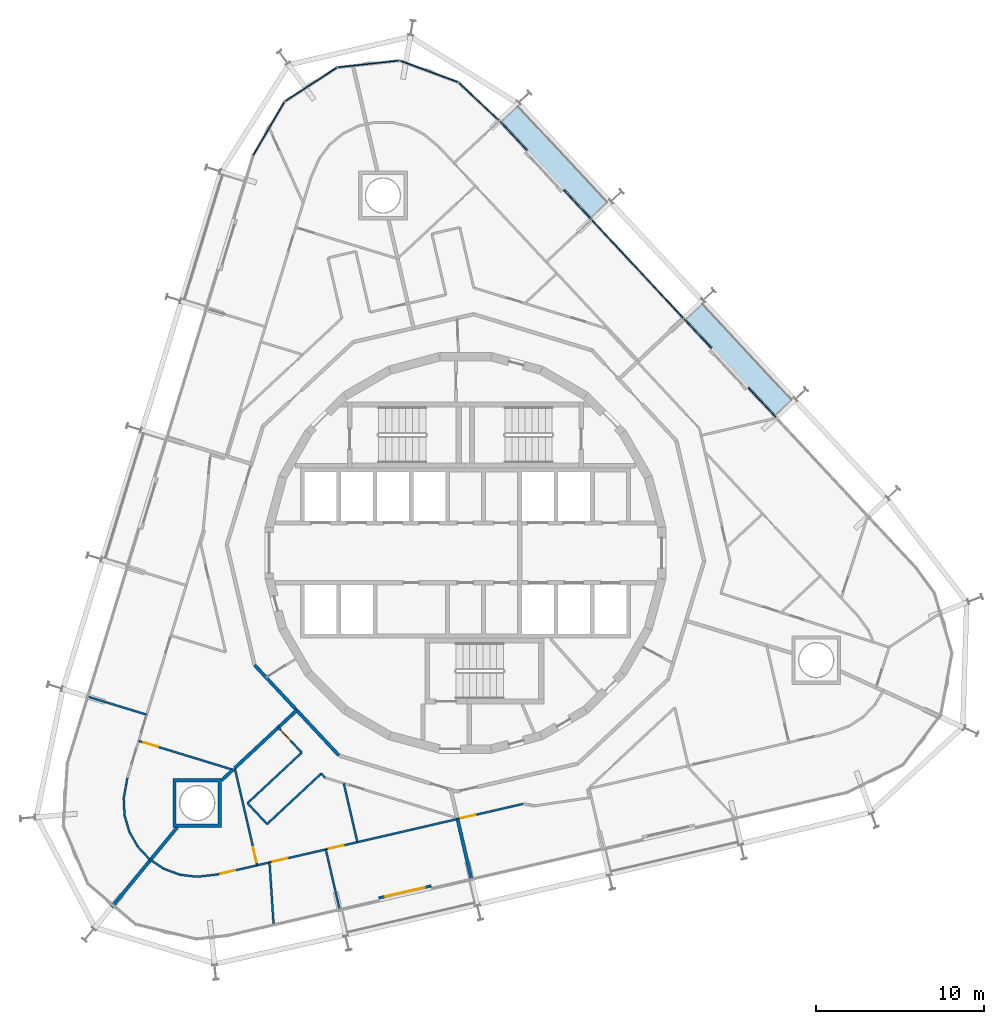
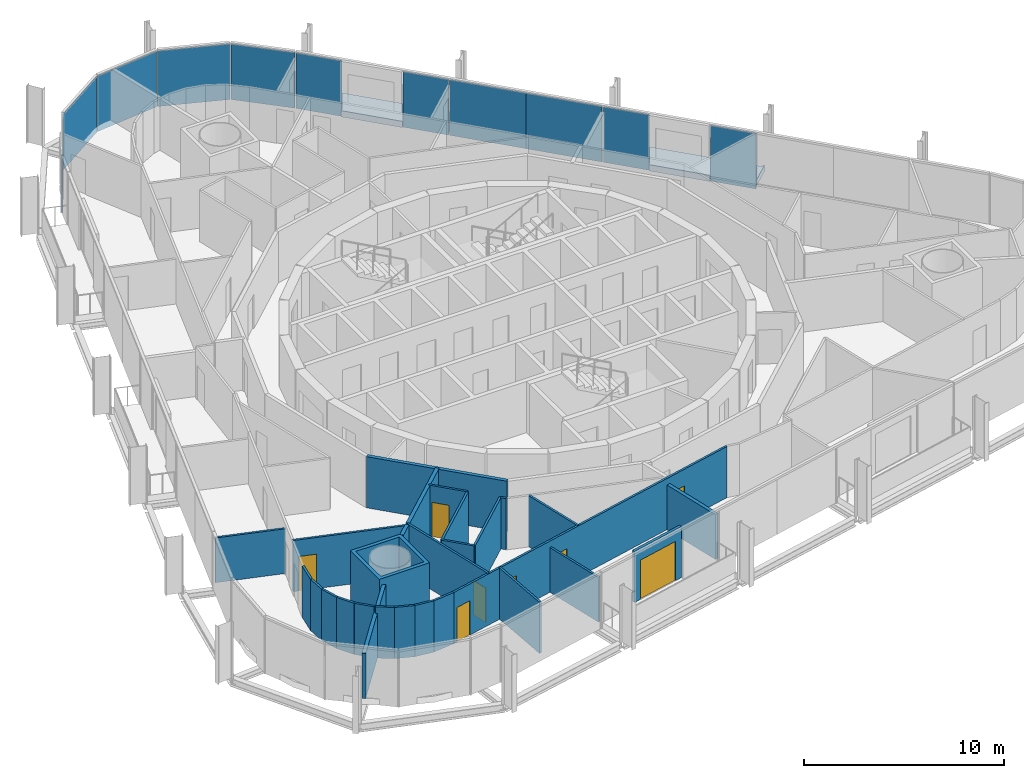
# One storey, part 11 of 18: 28 walls, 11 plates, 8 doors, 2 slabs, 8 openings, 2 elements without a shape of their own.
"""IFC4 building model written with IfcOpenShell, lengths in metres."""

from ifc_helpers import new_model, si_unit, direction, frame, frame_2d, origin, origin_2d, place, context, subcontext, project, spatial, polyline, rectangle, outline, extrude, material, layer, layer_set, type_object, element, fill, aggregate, save


model = new_model("IFC4")

# Units and contexts
model_context = context("Model", 3, precision=1e-05, world=origin(), true_north=direction((0.0, 1.0)))
body_context = subcontext(model_context, "Body", "Model", "MODEL_VIEW")
ifc_project = project(units=[si_unit("LENGTHUNIT", "METRE"), si_unit("AREAUNIT", "SQUARE_METRE"), si_unit("VOLUMEUNIT", "CUBIC_METRE"), si_unit("PLANEANGLEUNIT", "RADIAN"), si_unit("MASSUNIT", "GRAM", prefix="KILO")], contexts=[model_context])

# Site, building, storey
site_placement = place(None, origin())
site = spatial("IfcSite", under=ifc_project, at=site_placement, CompositionType="ELEMENT")
building_placement = place(site_placement, origin())
building = spatial("IfcBuilding", under=site, at=building_placement, Name="Spindle Arch Residences", CompositionType="ELEMENT")
storey_placement = place(building_placement, frame((0.0, 0.0, 120.39990234375)))
storey = spatial("IfcBuildingStorey", under=building, at=storey_placement, Name="L29", CompositionType="ELEMENT", Elevation=120.39990234375)

# Slabs
ifc_material_1 = material(Name="Concrete C40/50", Category="concrete")
ifc_layer_1 = layer(ifc_material_1, 0.3798828125)
ifc_layer_set_1 = layer_set([ifc_layer_1], Name="Balcony slab 380")
slab_type = type_object("IfcSlabType", Name="Balcony slab 380", PredefinedType="FLOOR", material=ifc_layer_set_1)
slab_1_placement = place(storey_placement, frame((0.0, 0.0, -0.3798828125)))
element("IfcSlab", 1, at=slab_1_placement, inside=storey, type_object=slab_type, Name="Balcony L29 bay 7", PredefinedType="FLOOR", context=body_context, shape_type="SweptSolid", body=[
    extrude(outline(polyline([(19.53466796875, 9.170166015625), (19.483642578125, 9.22509765625), (19.373779296875, 9.122802734375), (14.1025390625, 14.775634765625), (14.21240234375, 14.8779296875), (14.1611328125, 14.9326171875), (13.071533203125, 13.91650390625), (14.6669921875, 12.20556640625), (14.550048828125, 12.096435546875), (16.732421875, 9.756103515625), (16.849365234375, 9.865234375), (18.445068359375, 8.154052734375), (19.53466796875, 9.170166015625)])), origin(), (0.0, 0.0, 1.0), 0.3798828125),
])
slab_2_placement = place(storey_placement, frame((0.0, 0.0, -0.3798828125)))
element("IfcSlab", 2, at=slab_2_placement, inside=storey, type_object=slab_type, Name="Balcony L29 bay 9", PredefinedType="FLOOR", context=body_context, shape_type="SweptSolid", body=[
    extrude(outline(polyline([(8.5830078125, 20.91455078125), (8.53173828125, 20.969482421875), (8.422119140625, 20.8671875), (3.15087890625, 26.519775390625), (3.260498046875, 26.6220703125), (3.20947265625, 26.677001953125), (2.11962890625, 25.660888671875), (3.71533203125, 23.94970703125), (3.59814453125, 23.840576171875), (5.78076171875, 21.500244140625), (5.897705078125, 21.609375), (7.4931640625, 19.8984375), (8.5830078125, 20.91455078125)])), origin(), (0.0, 0.0, 1.0), 0.3798828125),
])

# Curtain wall, plates
ifc_material_2 = material(Name="Aluminium bronze unitised frame with tinted glass", Category="aluminium")
ifc_layer_2 = layer(ifc_material_2, 0.159912109375)
ifc_layer_set_2 = layer_set([ifc_layer_2], Name="CW-C typical residential unitised wall")
curtain_wall_type_1 = type_object("IfcCurtainWallType", Name="CW-C typical residential unitised wall", PredefinedType="NOTDEFINED", material=ifc_layer_set_2)
curtain_wall_1_placement = place(storey_placement, origin())
curtain_wall_1 = element("IfcCurtainWall", 3, at=curtain_wall_1_placement, inside=storey, type_object=curtain_wall_type_1, Name="CW-C L29 run 2", PredefinedType="NOTDEFINED")
ifc_material_3 = material(Name="Tinted double glazing over aluminium faced non-combustible spandrel zone (K0)", Category="aluminium")
ifc_layer_3 = layer(ifc_material_3, 0.06005859375)
ifc_layer_set_3 = layer_set([ifc_layer_3], Name="Unitised glass panel with E 60 spandrel zone")
plate_type = type_object("IfcPlateType", Name="Unitised glass panel with E 60 spandrel zone", PredefinedType="CURTAIN_PANEL", material=ifc_layer_set_3)
plate_1_placement = place(storey_placement, frame((17.60400390625, 8.9384765625, -0.3798828125), z_axis=(0.0, 0.0, 1.0), x_axis=(-0.681998360062, 0.731353701619, 0.0)))
plate_1 = element("IfcPlate", 4, at=plate_1_placement, type_object=plate_type, Name="CW-C unit 06L", PredefinedType="CURTAIN_PANEL", context=body_context, shape_type="SweptSolid", body=[
    extrude(rectangle(XDim=2.384521484375, YDim=0.06005859375, at=origin_2d()), origin(), (0.0, 0.0, 1.0), 3.3798828125),
])
plate_2_placement = place(storey_placement, frame((13.79541015625, 13.02294921875, -0.3798828125), z_axis=(0.0, 0.0, 1.0), x_axis=(-0.681998360062, 0.731353701619, 0.0)))
plate_2 = element("IfcPlate", 5, at=plate_2_placement, type_object=plate_type, Name="CW-C unit 06R", PredefinedType="CURTAIN_PANEL", context=body_context, shape_type="SweptSolid", body=[
    extrude(rectangle(XDim=2.384521484375, YDim=0.06005859375, at=origin_2d()), origin(), (0.0, 0.0, 1.0), 3.3798828125),
])
plate_3_placement = place(storey_placement, frame((11.58251953125, 15.395751953125, -0.3798828125), z_axis=(0.0, 0.0, 1.0), x_axis=(-0.681998360062, 0.731353701619, 0.0)))
plate_3 = element("IfcPlate", 6, at=plate_3_placement, type_object=plate_type, Name="CW-C unit 07A", PredefinedType="CURTAIN_PANEL", context=body_context, shape_type="SweptSolid", body=[
    extrude(rectangle(XDim=3.984619140625, YDim=0.06005859375, at=origin_2d()), origin(), (0.0, 0.0, 1.0), 3.3798828125),
])
plate_4_placement = place(storey_placement, frame((8.864990234375, 18.31005859375, -0.3798828125), z_axis=(0.0, 0.0, 1.0), x_axis=(-0.681998360062, 0.731353701619, 0.0)))
plate_4 = element("IfcPlate", 7, at=plate_4_placement, type_object=plate_type, Name="CW-C unit 07B", PredefinedType="CURTAIN_PANEL", context=body_context, shape_type="SweptSolid", body=[
    extrude(rectangle(XDim=3.984619140625, YDim=0.06005859375, at=origin_2d()), origin(), (0.0, 0.0, 1.0), 3.3798828125),
])
plate_5_placement = place(storey_placement, frame((6.65234375, 20.682861328125, -0.3798828125), z_axis=(0.0, 0.0, 1.0), x_axis=(-0.681998360062, 0.731353701619, 0.0)))
plate_5 = element("IfcPlate", 8, at=plate_5_placement, type_object=plate_type, Name="CW-C unit 08L", PredefinedType="CURTAIN_PANEL", context=body_context, shape_type="SweptSolid", body=[
    extrude(rectangle(XDim=2.384521484375, YDim=0.06005859375, at=origin_2d()), origin(), (0.0, 0.0, 1.0), 3.3798828125),
])
plate_6_placement = place(storey_placement, frame((2.84375, 24.767333984375, -0.3798828125), z_axis=(0.0, 0.0, 1.0), x_axis=(-0.681998360062, 0.731353701619, 0.0)))
plate_6 = element("IfcPlate", 9, at=plate_6_placement, type_object=plate_type, Name="CW-C unit 08R", PredefinedType="CURTAIN_PANEL", context=body_context, shape_type="SweptSolid", body=[
    extrude(rectangle(XDim=2.384521484375, YDim=0.06005859375, at=origin_2d()), origin(), (0.0, 0.0, 1.0), 3.3798828125),
])
aggregate(curtain_wall_1, [plate_1, plate_2, plate_3, plate_4, plate_5, plate_6])

ifc_material_4 = material(Name="Aluminium bronze unitised frame with tinted glass", Category="aluminium")
ifc_layer_4 = layer(ifc_material_4, 0.159912109375)
ifc_layer_set_4 = layer_set([ifc_layer_4], Name="CW-D corner wall on the fillet arcs")
curtain_wall_type_2 = type_object("IfcCurtainWallType", Name="CW-D corner wall on the fillet arcs", PredefinedType="NOTDEFINED", material=ifc_layer_set_4)
curtain_wall_2_placement = place(storey_placement, origin())
curtain_wall_2 = element("IfcCurtainWall", 10, at=curtain_wall_2_placement, inside=storey, type_object=curtain_wall_type_2, Name="CW-D L29 run 3", PredefinedType="NOTDEFINED")
plate_7_placement = place(storey_placement, frame((0.794677734375, 26.8046875, -0.3798828125), z_axis=(0.0, 0.0, 1.0), x_axis=(-0.728270412102, 0.685289870681, 0.0)))
plate_7 = element("IfcPlate", 11, at=plate_7_placement, type_object=plate_type, Name="CW-D unit 00", PredefinedType="CURTAIN_PANEL", context=body_context, shape_type="SweptSolid", body=[
    extrude(rectangle(XDim=3.277587890625, YDim=0.06005859375, at=origin_2d()), origin(), (0.0, 0.0, 1.0), 3.3798828125),
])
plate_8_placement = place(storey_placement, frame((-2.16796875, 28.595703125, -0.3798828125), z_axis=(0.0, 0.0, 1.0), x_axis=(-0.937686936403, 0.347481235896, 0.0)))
plate_8 = element("IfcPlate", 12, at=plate_8_placement, type_object=plate_type, Name="CW-D unit 01", PredefinedType="CURTAIN_PANEL", context=body_context, shape_type="SweptSolid", body=[
    extrude(rectangle(XDim=3.666748046875, YDim=0.06005859375, at=origin_2d()), origin(), (0.0, 0.0, 1.0), 3.3798828125),
])
plate_9_placement = place(storey_placement, frame((-5.76708984375, 29.037841796875, -0.3798828125), z_axis=(0.0, 0.0, 1.0), x_axis=(-0.993896946294, -0.110312556619, 0.0)))
plate_9 = element("IfcPlate", 13, at=plate_9_placement, type_object=plate_type, Name="CW-D unit 02", PredefinedType="CURTAIN_PANEL", context=body_context, shape_type="SweptSolid", body=[
    extrude(rectangle(XDim=3.666748046875, YDim=0.06005859375, at=origin_2d()), origin(), (0.0, 0.0, 1.0), 3.3798828125),
])
plate_10_placement = place(storey_placement, frame((-9.181884765625, 27.8173828125, -0.3798828125), z_axis=(0.0, 0.0, 1.0), x_axis=(-0.838670567755, -0.544639035308, 0.0)))
plate_10 = element("IfcPlate", 14, at=plate_10_placement, type_object=plate_type, Name="CW-D unit 03", PredefinedType="CURTAIN_PANEL", context=body_context, shape_type="SweptSolid", body=[
    extrude(rectangle(XDim=3.666748046875, YDim=0.06005859375, at=origin_2d()), origin(), (0.0, 0.0, 1.0), 3.3798828125),
])
plate_11_placement = place(storey_placement, frame((-11.685791015625, 25.194091796875, -0.3798828125), z_axis=(0.0, 0.0, 1.0), x_axis=(-0.505029844161, -0.863101880723, 0.0)))
plate_11 = element("IfcPlate", 15, at=plate_11_placement, type_object=plate_type, Name="CW-D unit 04", PredefinedType="CURTAIN_PANEL", context=body_context, shape_type="SweptSolid", body=[
    extrude(rectangle(XDim=3.666748046875, YDim=0.06005859375, at=origin_2d()), origin(), (0.0, 0.0, 1.0), 3.3798828125),
])
aggregate(curtain_wall_2, [plate_7, plate_8, plate_9, plate_10, plate_11])

# Wall
ifc_material_5 = material(Name="Calcium silicate block, plastered")
ifc_layer_5 = layer(ifc_material_5, 0.199951171875)
ifc_layer_set_5 = layer_set([ifc_layer_5], Name="Corridor wall 200")
wall_type_1 = type_object("IfcWallType", Name="Corridor wall 200", PredefinedType="STANDARD", material=ifc_layer_set_5)
wall_1_placement = place(storey_placement, frame((-12.523193359375, -6.65869140625, 0.0), z_axis=(0.0, 0.0, 1.0), x_axis=(0.682001841105, -0.731350455479, 0.0)))
element("IfcWall", 16, at=wall_1_placement, inside=storey, type_object=wall_type_1, Name="Corridor wall R3A0-W012", PredefinedType="STANDARD", context=body_context, shape_type="SweptSolid", body=[
    extrude(rectangle(XDim=7.341796875, YDim=0.199951171875, at=frame_2d((3.6708984375, 0.0))), origin(), (0.0, 0.0, 1.0), 3.1201171875),
])

# Wall, opening, door
ifc_material_6 = material(Name="Plasterboard on steel studs", Category="steel")
ifc_layer_6 = layer(ifc_material_6, 0.1201171875)
ifc_layer_set_6 = layer_set([ifc_layer_6], Name="Flat partition 120")
wall_type_2 = type_object("IfcWallType", Name="Flat partition 120", PredefinedType="PARTITIONING", material=ifc_layer_set_6)
wall_2_placement = place(storey_placement, frame((-19.403564453125, -11.1669921875, 0.0), z_axis=(0.0, 0.0, 1.0), x_axis=(0.956314306829, -0.292340463423, 0.0)))
wall_2 = element("IfcWall", 17, at=wall_2_placement, inside=storey, type_object=wall_type_2, Name="Flat partition R3A0-W079", PredefinedType="PARTITIONING", context=body_context, shape_type="SweptSolid", body=[
    extrude(rectangle(XDim=5.85009765625, YDim=0.1201171875, at=frame_2d((2.925048828125, 0.0))), origin(), (0.0, 0.0, 1.0), 3.1201171875),
])
opening_1_placement = place(wall_2_placement, frame((0.300048828125, 0.0, 0.0)))
opening_1 = element("IfcOpeningElement", 18, at=opening_1_placement, cuts=wall_2, Name="Opening R3A0-ID20", PredefinedType="OPENING", context=body_context, shape_type="SweptSolid", body=[
    extrude(rectangle(XDim=0.89990234375, YDim=2.10009765625, at=frame_2d((0.449951171875, 1.050048828125))), frame((0.0, 0.070068359375, 0.0), z_axis=(0.0, -1.0, 0.0), x_axis=(1.0, 0.0, 0.0)), (0.0, 0.0, 1.0), 0.14013671875),
])
ifc_material_7 = material(Name="Timber door set", Category="wood")
door_type_1 = type_object("IfcDoorType", Name="Room door 900x2100", OperationType="NOTDEFINED", PredefinedType="DOOR", material=ifc_material_7)
door_1_placement = place(opening_1_placement, origin())
door_1 = element("IfcDoor", 19, at=door_1_placement, inside=storey, type_object=door_type_1, Name="Room door R3A0-ID20", OperationType="SINGLE_SWING_RIGHT", OverallHeight=2.10009765625, OverallWidth=0.89990234375, PredefinedType="DOOR", context=body_context, shape_type="SweptSolid", body=[
    extrude(rectangle(XDim=0.89990234375, YDim=2.10009765625, at=frame_2d((0.449951171875, 1.050048828125))), frame((0.0, 0.02490234375, 0.0), z_axis=(0.0, -1.0, 0.0), x_axis=(1.0, 0.0, 0.0)), (0.0, 0.0, 1.0), 0.050048828125),
])
fill(opening_1, door_1)

# Walls
for number, where, z_axis, x_axis, name in (
    (20, (-18.76220703125, -18.1904296875, 0.0), (0.0, 0.0, 1.0), (-0.682044196941, 0.731310955353, 0.0), "Flat partition R3A0-W083"),
    (21, (-19.455078125, -17.447509765625, 0.0), (0.0, 0.0, 1.0), (-0.494818454809, 0.868996373284, 0.0), "Flat partition R3A0-W084"),
    (22, (-19.957763671875, -16.564697265625, 0.0), (0.0, 0.0, 1.0), (-0.281411609627, 0.959587153919, 0.0), "Flat partition R3A0-W085"),
):
    element("IfcWall", number, at=place(storey_placement, frame(where, z_axis=z_axis, x_axis=x_axis)), inside=storey, type_object=wall_type_2, Name=name, PredefinedType="PARTITIONING", context=body_context, shape_type="SweptSolid", body=[
        extrude(rectangle(XDim=1.015869140625, YDim=0.1201171875, at=frame_2d((0.5078125, 0.0))), origin(), (0.0, 0.0, 1.0), 3.1201171875),
    ])
wall_3_placement = place(storey_placement, frame((-20.24365234375, -15.58984375, 0.0), z_axis=(0.0, 0.0, 1.0), x_axis=(-0.052142637988, 0.998639647372, 0.0)))
element("IfcWall", 23, at=wall_3_placement, inside=storey, type_object=wall_type_2, Name="Flat partition R3A0-W086", PredefinedType="PARTITIONING", context=body_context, shape_type="SweptSolid", body=[
    extrude(rectangle(XDim=1.01611328125, YDim=0.1201171875, at=frame_2d((0.508056640625, 0.0))), origin(), (0.0, 0.0, 1.0), 3.1201171875),
])
wall_4_placement = place(storey_placement, frame((-20.296630859375, -14.5751953125, 0.0), z_axis=(0.0, 0.0, 1.0), x_axis=(0.179288174895, 0.983796600087, 0.0)))
element("IfcWall", 24, at=wall_4_placement, inside=storey, type_object=wall_type_2, Name="Flat partition R3A0-W087", PredefinedType="PARTITIONING", context=body_context, shape_type="SweptSolid", body=[
    extrude(rectangle(XDim=1.226806640625, YDim=0.1201171875, at=frame_2d((0.61328125, 0.0))), origin(), (0.0, 0.0, 1.0), 3.1201171875),
])

# Wall, opening, door
wall_5_placement = place(storey_placement, frame((-11.11669921875, -10.366455078125, 0.0), z_axis=(0.0, 0.0, 1.0), x_axis=(0.682041233274, -0.731313719353, 0.0)))
wall_5 = element("IfcWall", 25, at=wall_5_placement, inside=storey, type_object=wall_type_2, Name="Flat partition R3A0-W088", PredefinedType="PARTITIONING", context=body_context, shape_type="SweptSolid", body=[
    extrude(rectangle(XDim=2.04150390625, YDim=0.1201171875, at=frame_2d((1.020751953125, 0.0))), origin(), (0.0, 0.0, 1.0), 3.1201171875),
])
opening_2_placement = place(wall_5_placement, frame((0.199951171875, 0.0, 0.0)))
opening_2 = element("IfcOpeningElement", 26, at=opening_2_placement, cuts=wall_5, Name="Opening R3A0-ID22", PredefinedType="OPENING", context=body_context, shape_type="SweptSolid", body=[
    extrude(rectangle(XDim=0.89990234375, YDim=2.10009765625, at=frame_2d((0.449951171875, 1.050048828125))), frame((0.0, 0.070068359375, 0.0), z_axis=(0.0, -1.0, 0.0), x_axis=(1.0, 0.0, 0.0)), (0.0, 0.0, 1.0), 0.14013671875),
])
door_2_placement = place(opening_2_placement, origin())
door_2 = element("IfcDoor", 27, at=door_2_placement, inside=storey, type_object=door_type_1, Name="Room door R3A0-ID22", OperationType="SINGLE_SWING_LEFT", OverallHeight=2.10009765625, OverallWidth=0.89990234375, PredefinedType="DOOR", context=body_context, shape_type="SweptSolid", body=[
    extrude(rectangle(XDim=0.89990234375, YDim=2.10009765625, at=frame_2d((0.449951171875, 1.050048828125))), frame((0.0, 0.02490234375, 0.0), z_axis=(0.0, -1.0, 0.0), x_axis=(1.0, 0.0, 0.0)), (0.0, 0.0, 1.0), 0.050048828125),
])
fill(opening_2, door_2)

# Walls
wall_6_placement = place(storey_placement, frame((-9.724365234375, -11.859375, 0.0), z_axis=(0.0, 0.0, 1.0), x_axis=(-0.731365154613, -0.681986078023, 0.0)))
element("IfcWall", 28, at=wall_6_placement, inside=storey, type_object=wall_type_2, Name="Flat partition R3A0-W089", PredefinedType="PARTITIONING", context=body_context, shape_type="SweptSolid", body=[
    extrude(rectangle(XDim=4.400390625, YDim=0.1201171875, at=frame_2d((2.2001953125, 0.0))), origin(), (0.0, 0.0, 1.0), 3.1201171875),
])
wall_7_placement = place(storey_placement, frame((-12.942626953125, -14.8603515625, 0.0), z_axis=(0.0, 0.0, 1.0), x_axis=(0.682046998737, -0.731308342297, 0.0)))
element("IfcWall", 29, at=wall_7_placement, inside=storey, type_object=wall_type_2, Name="Flat partition R3A0-W090", PredefinedType="PARTITIONING", context=body_context, shape_type="SweptSolid", body=[
    extrude(rectangle(XDim=1.699951171875, YDim=0.1201171875, at=frame_2d((0.85009765625, 0.0))), origin(), (0.0, 0.0, 1.0), 3.1201171875),
])
wall_8_placement = place(storey_placement, frame((-11.783203125, -16.103515625, 0.0), z_axis=(0.0, 0.0, 1.0), x_axis=(0.731365154613, 0.681986078023, 0.0)))
element("IfcWall", 30, at=wall_8_placement, inside=storey, type_object=wall_type_2, Name="Flat partition R3A0-W091", PredefinedType="PARTITIONING", context=body_context, shape_type="SweptSolid", body=[
    extrude(rectangle(XDim=4.400390625, YDim=0.1201171875, at=frame_2d((2.2001953125, 0.0))), origin(), (0.0, 0.0, 1.0), 3.1201171875),
])
wall_9_placement = place(storey_placement, frame((-8.56494140625, -13.1025390625, 0.0), z_axis=(0.0, 0.0, 1.0), x_axis=(0.681636048219, -0.731691395172, 0.0)))
element("IfcWall", 31, at=wall_9_placement, inside=storey, type_object=wall_type_2, Name="Flat partition R3A0-W092", PredefinedType="PARTITIONING", context=body_context, shape_type="SweptSolid", body=[
    extrude(rectangle(XDim=0.33154296875, YDim=0.1201171875, at=frame_2d((0.165771484375, 0.0))), origin(), (0.0, 0.0, 1.0), 3.1201171875),
])
wall_10_placement = place(storey_placement, frame((-18.703125, -18.22998046875, 0.0), z_axis=(0.0, 0.0, 1.0), x_axis=(0.832328473933, -0.554282699965, 0.0)))
element("IfcWall", 32, at=wall_10_placement, inside=storey, type_object=wall_type_2, Name="Flat partition R3A0-W094", PredefinedType="PARTITIONING", context=body_context, shape_type="SweptSolid", body=[
    extrude(rectangle(XDim=0.94482421875, YDim=0.1201171875, at=frame_2d((0.472412109375, 0.0))), origin(), (0.0, 0.0, 1.0), 3.1201171875),
])
wall_11_placement = place(storey_placement, frame((-17.916748046875, -18.753662109375, 0.0), z_axis=(0.0, 0.0, 1.0), x_axis=(0.937684971769, -0.347486537462, 0.0)))
element("IfcWall", 33, at=wall_11_placement, inside=storey, type_object=wall_type_2, Name="Flat partition R3A0-W095", PredefinedType="PARTITIONING", context=body_context, shape_type="SweptSolid", body=[
    extrude(rectangle(XDim=1.015869140625, YDim=0.1201171875, at=frame_2d((0.5078125, 0.0))), origin(), (0.0, 0.0, 1.0), 3.1201171875),
])
wall_12_placement = place(storey_placement, frame((-16.964111328125, -19.106689453125, 0.0), z_axis=(0.0, 0.0, 1.0), x_axis=(0.992523553766, -0.122053247474, 0.0)))
element("IfcWall", 34, at=wall_12_placement, inside=storey, type_object=wall_type_2, Name="Flat partition R3A0-W096", PredefinedType="PARTITIONING", context=body_context, shape_type="SweptSolid", body=[
    extrude(rectangle(XDim=1.01611328125, YDim=0.1201171875, at=frame_2d((0.508056640625, 0.0))), origin(), (0.0, 0.0, 1.0), 3.1201171875),
])
wall_13_placement = place(storey_placement, frame((-15.95556640625, -19.230712890625, 0.0), z_axis=(0.0, 0.0, 1.0), x_axis=(0.993883734674, 0.110431526075, 0.0)))
element("IfcWall", 35, at=wall_13_placement, inside=storey, type_object=wall_type_2, Name="Flat partition R3A0-W097", PredefinedType="PARTITIONING", context=body_context, shape_type="SweptSolid", body=[
    extrude(rectangle(XDim=1.22705078125, YDim=0.1201171875, at=frame_2d((0.613525390625, 0.0))), origin(), (0.0, 0.0, 1.0), 3.1201171875),
])

# Wall, openings, doors
wall_14_placement = place(storey_placement, frame((-14.736083984375, -19.09521484375, 0.0), z_axis=(0.0, 0.0, 1.0), x_axis=(0.974369132722, 0.224955091516, 0.0)))
wall_14 = element("IfcWall", 36, at=wall_14_placement, inside=storey, type_object=wall_type_2, Name="Flat partition R3A0-W098", PredefinedType="PARTITIONING", context=body_context, shape_type="SweptSolid", body=[
    extrude(rectangle(XDim=18.65380859375, YDim=0.1201171875, at=frame_2d((9.326904296875, 0.0))), origin(), (0.0, 0.0, 1.0), 3.1201171875),
])
opening_3_placement = place(wall_14_placement, frame((3.383056640625, 0.0, 0.0)))
opening_3 = element("IfcOpeningElement", 37, at=opening_3_placement, cuts=wall_14, Name="Opening R3A0-ID24", PredefinedType="OPENING", context=body_context, shape_type="SweptSolid", body=[
    extrude(rectangle(XDim=0.89990234375, YDim=2.10009765625, at=frame_2d((0.449951171875, 1.050048828125))), frame((0.0, 0.070068359375, 0.0), z_axis=(0.0, -1.0, 0.0), x_axis=(1.0, 0.0, 0.0)), (0.0, 0.0, 1.0), 0.14013671875),
])
opening_4_placement = place(wall_14_placement, frame((6.81005859375, 0.0, 0.0)))
opening_4 = element("IfcOpeningElement", 38, at=opening_4_placement, cuts=wall_14, Name="Opening R3A0-ID25", PredefinedType="OPENING", context=body_context, shape_type="SweptSolid", body=[
    extrude(rectangle(XDim=0.89990234375, YDim=2.10009765625, at=frame_2d((0.449951171875, 1.050048828125))), frame((0.0, 0.070068359375, 0.0), z_axis=(0.0, -1.0, 0.0), x_axis=(1.0, 0.0, 0.0)), (0.0, 0.0, 1.0), 0.14013671875),
])
opening_5_placement = place(wall_14_placement, frame((0.199951171875, 0.0, 0.0)))
opening_5 = element("IfcOpeningElement", 39, at=opening_5_placement, cuts=wall_14, Name="Opening R3A0-ID26", PredefinedType="OPENING", context=body_context, shape_type="SweptSolid", body=[
    extrude(rectangle(XDim=0.89990234375, YDim=2.10009765625, at=frame_2d((0.449951171875, 1.050048828125))), frame((0.0, 0.070068359375, 0.0), z_axis=(0.0, -1.0, 0.0), x_axis=(1.0, 0.0, 0.0)), (0.0, 0.0, 1.0), 0.14013671875),
])
opening_6_placement = place(wall_14_placement, frame((14.83935546875, 0.0, 0.0)))
opening_6 = element("IfcOpeningElement", 40, at=opening_6_placement, cuts=wall_14, Name="Opening R3A0-ID27", PredefinedType="OPENING", context=body_context, shape_type="SweptSolid", body=[
    extrude(rectangle(XDim=0.89990234375, YDim=2.10009765625, at=frame_2d((0.449951171875, 1.050048828125))), frame((0.0, 0.070068359375, 0.0), z_axis=(0.0, -1.0, 0.0), x_axis=(1.0, 0.0, 0.0)), (0.0, 0.0, 1.0), 0.14013671875),
])
door_3_placement = place(opening_3_placement, origin())
door_3 = element("IfcDoor", 41, at=door_3_placement, inside=storey, type_object=door_type_1, Name="Room door R3A0-ID24", OperationType="SINGLE_SWING_LEFT", OverallHeight=2.10009765625, OverallWidth=0.89990234375, PredefinedType="DOOR", context=body_context, shape_type="SweptSolid", body=[
    extrude(rectangle(XDim=0.89990234375, YDim=2.10009765625, at=frame_2d((0.449951171875, 1.050048828125))), frame((0.0, 0.02490234375, 0.0), z_axis=(0.0, -1.0, 0.0), x_axis=(1.0, 0.0, 0.0)), (0.0, 0.0, 1.0), 0.050048828125),
])
fill(opening_3, door_3)
door_4_placement = place(opening_4_placement, origin())
door_4 = element("IfcDoor", 42, at=door_4_placement, inside=storey, type_object=door_type_1, Name="Room door R3A0-ID25", OperationType="SINGLE_SWING_LEFT", OverallHeight=2.10009765625, OverallWidth=0.89990234375, PredefinedType="DOOR", context=body_context, shape_type="SweptSolid", body=[
    extrude(rectangle(XDim=0.89990234375, YDim=2.10009765625, at=frame_2d((0.449951171875, 1.050048828125))), frame((0.0, 0.02490234375, 0.0), z_axis=(0.0, -1.0, 0.0), x_axis=(1.0, 0.0, 0.0)), (0.0, 0.0, 1.0), 0.050048828125),
])
fill(opening_4, door_4)
door_5_placement = place(opening_5_placement, origin())
door_5 = element("IfcDoor", 43, at=door_5_placement, inside=storey, type_object=door_type_1, Name="Room door R3A0-ID26", OperationType="SINGLE_SWING_RIGHT", OverallHeight=2.10009765625, OverallWidth=0.89990234375, PredefinedType="DOOR", context=body_context, shape_type="SweptSolid", body=[
    extrude(rectangle(XDim=0.89990234375, YDim=2.10009765625, at=frame_2d((0.449951171875, 1.050048828125))), frame((0.0, 0.02490234375, 0.0), z_axis=(0.0, -1.0, 0.0), x_axis=(1.0, 0.0, 0.0)), (0.0, 0.0, 1.0), 0.050048828125),
])
fill(opening_5, door_5)
door_6_placement = place(opening_6_placement, origin())
door_6 = element("IfcDoor", 44, at=door_6_placement, inside=storey, type_object=door_type_1, Name="Room door R3A0-ID27", OperationType="SINGLE_SWING_LEFT", OverallHeight=2.10009765625, OverallWidth=0.89990234375, PredefinedType="DOOR", context=body_context, shape_type="SweptSolid", body=[
    extrude(rectangle(XDim=0.89990234375, YDim=2.10009765625, at=frame_2d((0.449951171875, 1.050048828125))), frame((0.0, 0.02490234375, 0.0), z_axis=(0.0, -1.0, 0.0), x_axis=(1.0, 0.0, 0.0)), (0.0, 0.0, 1.0), 0.050048828125),
])
fill(opening_6, door_6)

# Wall, opening, door
wall_15_placement = place(storey_placement, frame((-12.36572265625, -18.548095703125, 0.0), z_axis=(0.0, 0.0, 1.0), x_axis=(-0.224958805164, 0.974368275335, 0.0)))
wall_15 = element("IfcWall", 45, at=wall_15_placement, inside=storey, type_object=wall_type_2, Name="Flat partition R3A0-W099", PredefinedType="PARTITIONING", context=body_context, shape_type="SweptSolid", body=[
    extrude(rectangle(XDim=5.925537109375, YDim=0.1201171875, at=frame_2d((2.962890625, 0.0))), origin(), (0.0, 0.0, 1.0), 3.1201171875),
])
opening_7_placement = place(wall_15_placement, frame((0.199951171875, 0.0, 0.0)))
opening_7 = element("IfcOpeningElement", 46, at=opening_7_placement, cuts=wall_15, Name="Opening R3A0-ID23", PredefinedType="OPENING", context=body_context, shape_type="SweptSolid", body=[
    extrude(rectangle(XDim=0.89990234375, YDim=2.10009765625, at=frame_2d((0.449951171875, 1.050048828125))), frame((0.0, 0.070068359375, 0.0), z_axis=(0.0, -1.0, 0.0), x_axis=(1.0, 0.0, 0.0)), (0.0, 0.0, 1.0), 0.14013671875),
])
door_7_placement = place(opening_7_placement, origin())
door_7 = element("IfcDoor", 47, at=door_7_placement, inside=storey, type_object=door_type_1, Name="Room door R3A0-ID23", OperationType="SINGLE_SWING_LEFT", OverallHeight=2.10009765625, OverallWidth=0.89990234375, PredefinedType="DOOR", context=body_context, shape_type="SweptSolid", body=[
    extrude(rectangle(XDim=0.89990234375, YDim=2.10009765625, at=frame_2d((0.449951171875, 1.050048828125))), frame((0.0, 0.02490234375, 0.0), z_axis=(0.0, -1.0, 0.0), x_axis=(1.0, 0.0, 0.0)), (0.0, 0.0, 1.0), 0.050048828125),
])
fill(opening_7, door_7)

# Walls
wall_16_placement = place(storey_placement, frame((-11.397216796875, -22.01904296875, 0.0), z_axis=(0.0, 0.0, 1.0), x_axis=(-0.065124052048, 0.997877175731, 0.0)))
element("IfcWall", 48, at=wall_16_placement, inside=storey, type_object=wall_type_2, Name="Flat partition R3A0-W100", PredefinedType="PARTITIONING", context=body_context, shape_type="SweptSolid", body=[
    extrude(rectangle(XDim=3.647705078125, YDim=0.1201171875, at=frame_2d((1.82373046875, 0.0))), origin(), (0.0, 0.0, 1.0), 3.1201171875),
])
wall_17_placement = place(storey_placement, frame((-6.4189453125, -17.175048828125, 0.0), z_axis=(0.0, 0.0, 1.0), x_axis=(-0.224979003559, 0.974363611778, 0.0)))
element("IfcWall", 49, at=wall_17_placement, inside=storey, type_object=wall_type_2, Name="Flat partition R3A0-W101", PredefinedType="PARTITIONING", context=body_context, shape_type="SweptSolid", body=[
    extrude(rectangle(XDim=3.5810546875, YDim=0.1201171875, at=frame_2d((1.79052734375, 0.0))), origin(), (0.0, 0.0, 1.0), 3.1201171875),
])
ifc_material_8 = material(Name="Plasterboard on steel studs", Category="steel")
ifc_layer_7 = layer(ifc_material_8, 0.1201171875)
ifc_layer_set_7 = layer_set([ifc_layer_7], Name="Flat partition 120 under beam 2730")
wall_type_3 = type_object("IfcWallType", Name="Flat partition 120 under beam 2730", PredefinedType="PARTITIONING", material=ifc_layer_set_7)
wall_18_placement = place(storey_placement, frame((-22.369140625, -8.5537109375, 0.0), z_axis=(0.0, 0.0, 1.0), x_axis=(0.956306810244, -0.292364985388, 0.0)))
element("IfcWall", 50, at=wall_18_placement, inside=storey, type_object=wall_type_3, Name="Flat partition R3A0-W082", PredefinedType="PARTITIONING", context=body_context, shape_type="SweptSolid", body=[
    extrude(rectangle(XDim=3.599853515625, YDim=0.1201171875, at=frame_2d((1.7998046875, 0.0))), origin(), (0.0, 0.0, 1.0), 2.72998046875),
])
wall_19_placement = place(storey_placement, frame((-7.485595703125, -21.115966796875, 0.0), z_axis=(0.0, 0.0, 1.0), x_axis=(-0.224943703639, 0.9743717618, 0.0)))
element("IfcWall", 51, at=wall_19_placement, inside=storey, type_object=wall_type_3, Name="Flat partition R3A0-W102", PredefinedType="PARTITIONING", context=body_context, shape_type="SweptSolid", body=[
    extrude(rectangle(XDim=3.60009765625, YDim=0.1201171875, at=frame_2d((1.800048828125, 0.0))), origin(), (0.0, 0.0, 1.0), 2.72998046875),
])
ifc_material_9 = material(Name="Calcium silicate block, plastered")
ifc_layer_8 = layer(ifc_material_9, 0.199951171875)
ifc_layer_set_8 = layer_set([ifc_layer_8], Name="Flat party wall 200")
wall_type_4 = type_object("IfcWallType", Name="Flat party wall 200", PredefinedType="STANDARD", material=ifc_layer_set_8)
wall_20_placement = place(storey_placement, frame((-13.69873046875, -12.7744140625, 0.0), z_axis=(0.0, 0.0, 1.0), x_axis=(0.731353758457, 0.681998299111, 0.0)))
element("IfcWall", 52, at=wall_20_placement, inside=storey, type_object=wall_type_4, Name="Flat party wall R3A0-W025", PredefinedType="STANDARD", context=body_context, shape_type="SweptSolid", body=[
    extrude(rectangle(XDim=5.03076171875, YDim=0.199951171875, at=frame_2d((2.515380859375, 0.0))), origin(), (0.0, 0.0, 1.0), 3.1201171875),
])
wall_21_placement = place(storey_placement, frame((-14.480224609375, -13.5029296875, 0.0), z_axis=(0.0, 0.0, 1.0), x_axis=(0.73152991834, 0.681809341806, 0.0)))
element("IfcWall", 53, at=wall_21_placement, inside=storey, type_object=wall_type_4, Name="Flat party wall R3A0-W027", PredefinedType="STANDARD", context=body_context, shape_type="SweptSolid", body=[
    extrude(rectangle(XDim=0.95751953125, YDim=0.199951171875, at=frame_2d((0.478759765625, 0.0))), origin(), (0.0, 0.0, 1.0), 3.1201171875),
])
ifc_material_10 = material(Name="Calcium silicate block, plastered")
ifc_layer_9 = layer(ifc_material_10, 0.199951171875)
ifc_layer_set_9 = layer_set([ifc_layer_9], Name="Flat party wall 200 under beam 2730")
wall_type_5 = type_object("IfcWallType", Name="Flat party wall 200 under beam 2730", PredefinedType="STANDARD", material=ifc_layer_set_9)
wall_22_placement = place(storey_placement, frame((-21.0, -21.025390625, 0.0), z_axis=(0.0, 0.0, 1.0), x_axis=(0.634846795952, 0.772638043116, 0.0)))
element("IfcWall", 54, at=wall_22_placement, inside=storey, type_object=wall_type_5, Name="Flat party wall R3A0-W026", PredefinedType="STANDARD", context=body_context, shape_type="SweptSolid", body=[
    extrude(rectangle(XDim=6.109130859375, YDim=0.199951171875, at=frame_2d((3.0546875, 0.0))), origin(), (0.0, 0.0, 1.0), 2.72998046875),
])
wall_23_placement = place(storey_placement, frame((0.337890625, -19.309814453125, 0.0), z_axis=(0.0, 0.0, 1.0), x_axis=(-0.224943703639, 0.9743717618, 0.0)))
element("IfcWall", 55, at=wall_23_placement, inside=storey, type_object=wall_type_5, Name="Flat party wall R3A0-W029", PredefinedType="STANDARD", context=body_context, shape_type="SweptSolid", body=[
    extrude(rectangle(XDim=3.60009765625, YDim=0.199951171875, at=frame_2d((1.800048828125, 0.0))), origin(), (0.0, 0.0, 1.0), 2.72998046875),
])

# Wall, opening, door
ifc_material_11 = material(Name="Non-combustible mineral wool insulated aluminium faced external wall (K0)", Category="aluminium")
ifc_layer_10 = layer(ifc_material_11, 0.159912109375)
ifc_layer_set_10 = layer_set([ifc_layer_10], Name="Insulated external wall panel 160")
wall_type_6 = type_object("IfcWallType", Name="Insulated external wall panel 160", PredefinedType="STANDARD", material=ifc_layer_set_10)
wall_24_placement = place(storey_placement, frame((-5.15087890625, -20.494873046875, 0.0), z_axis=(0.0, 0.0, 1.0), x_axis=(0.974377048991, 0.224920800284, 0.0)))
wall_24 = element("IfcWall", 56, at=wall_24_placement, inside=storey, type_object=wall_type_6, Name="External wall L29 bay 21", PredefinedType="STANDARD", context=body_context, shape_type="SweptSolid", body=[
    extrude(rectangle(XDim=3.199951171875, YDim=0.159912109375, at=frame_2d((1.60009765625, 0.0))), origin(), (0.0, 0.0, 1.0), 3.1201171875),
])
opening_8_placement = place(wall_24_placement, frame((0.39990234375, 0.0, 0.0)))
opening_8 = element("IfcOpeningElement", 57, at=opening_8_placement, cuts=wall_24, Name="Opening BD21", PredefinedType="OPENING", context=body_context, shape_type="SweptSolid", body=[
    extrude(rectangle(XDim=2.39990234375, YDim=2.39990234375, at=frame_2d((1.199951171875, 1.199951171875))), frame((0.0, 0.08984375, 0.0), z_axis=(0.0, -1.0, 0.0), x_axis=(1.0, 0.0, 0.0)), (0.0, 0.0, 1.0), 0.179931640625),
])
ifc_material_12 = material(Name="Bronze aluminium frame, tinted double glazing", Category="aluminium")
door_type_2 = type_object("IfcDoorType", Name="Sliding glazed balcony door 2400x2400", OperationType="DOUBLE_DOOR_SLIDING", PredefinedType="DOOR", material=ifc_material_12)
door_8_placement = place(opening_8_placement, origin())
door_8 = element("IfcDoor", 58, at=door_8_placement, inside=storey, type_object=door_type_2, Name="Balcony door BD21", OperationType="DOUBLE_DOOR_SLIDING", OverallHeight=2.39990234375, OverallWidth=2.39990234375, PredefinedType="DOOR", context=body_context, shape_type="SweptSolid", body=[
    extrude(rectangle(XDim=2.39990234375, YDim=2.39990234375, at=frame_2d((1.199951171875, 1.199951171875))), frame((0.0, 0.02490234375, 0.0), z_axis=(0.0, -1.0, 0.0), x_axis=(1.0, 0.0, 0.0)), (0.0, 0.0, 1.0), 0.050048828125),
])
fill(opening_8, door_8)

# Wall
ifc_material_13 = material(Name="Calcium silicate block, plastered")
ifc_layer_11 = layer(ifc_material_13, 0.199951171875)
ifc_layer_set_11 = layer_set([ifc_layer_11], Name="Mega-column casing wall 200")
wall_type_7 = type_object("IfcWallType", Name="Mega-column casing wall 200", PredefinedType="STANDARD", material=ifc_layer_set_11)
wall_25_placement = place(storey_placement, origin())
element("IfcWall", 59, at=wall_25_placement, inside=storey, type_object=wall_type_7, Name="Mega-column casing wall R3A0-WC02", PredefinedType="STANDARD", context=body_context, shape_type="SweptSolid", body=[
    extrude(outline(polyline([(-14.480224609375, -13.4052734375), (-14.480224609375, -16.30517578125), (-17.380126953125, -16.30517578125), (-17.380126953125, -13.4052734375), (-14.480224609375, -13.4052734375)]), holes=[polyline([(-17.18017578125, -16.105224609375), (-14.68017578125, -16.105224609375), (-14.68017578125, -13.605224609375), (-17.18017578125, -13.605224609375), (-17.18017578125, -16.105224609375)])]), origin(), (0.0, 0.0, 1.0), 3.1201171875),
])

save(model, "model.ifc")
